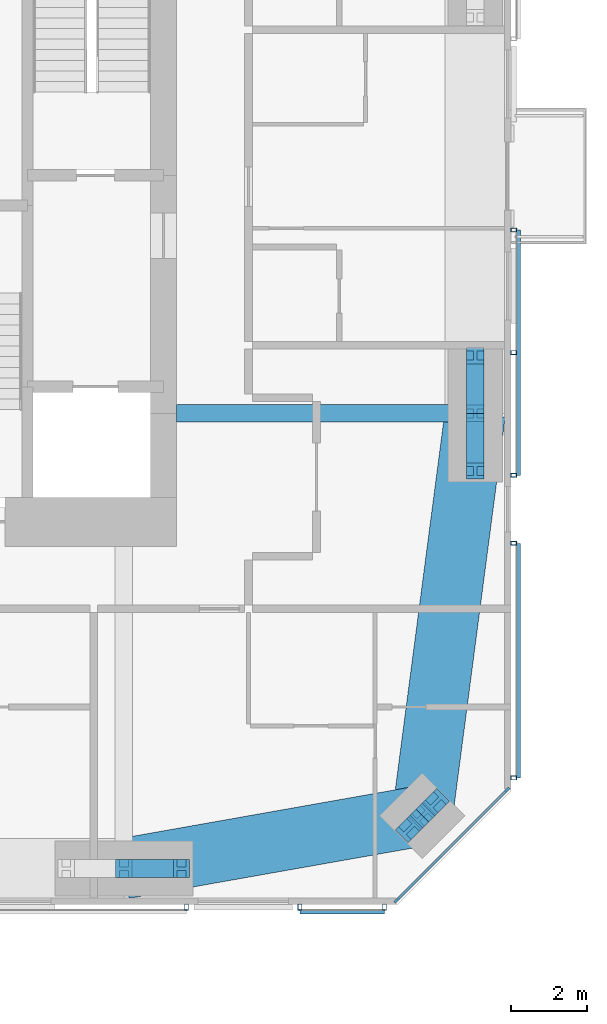
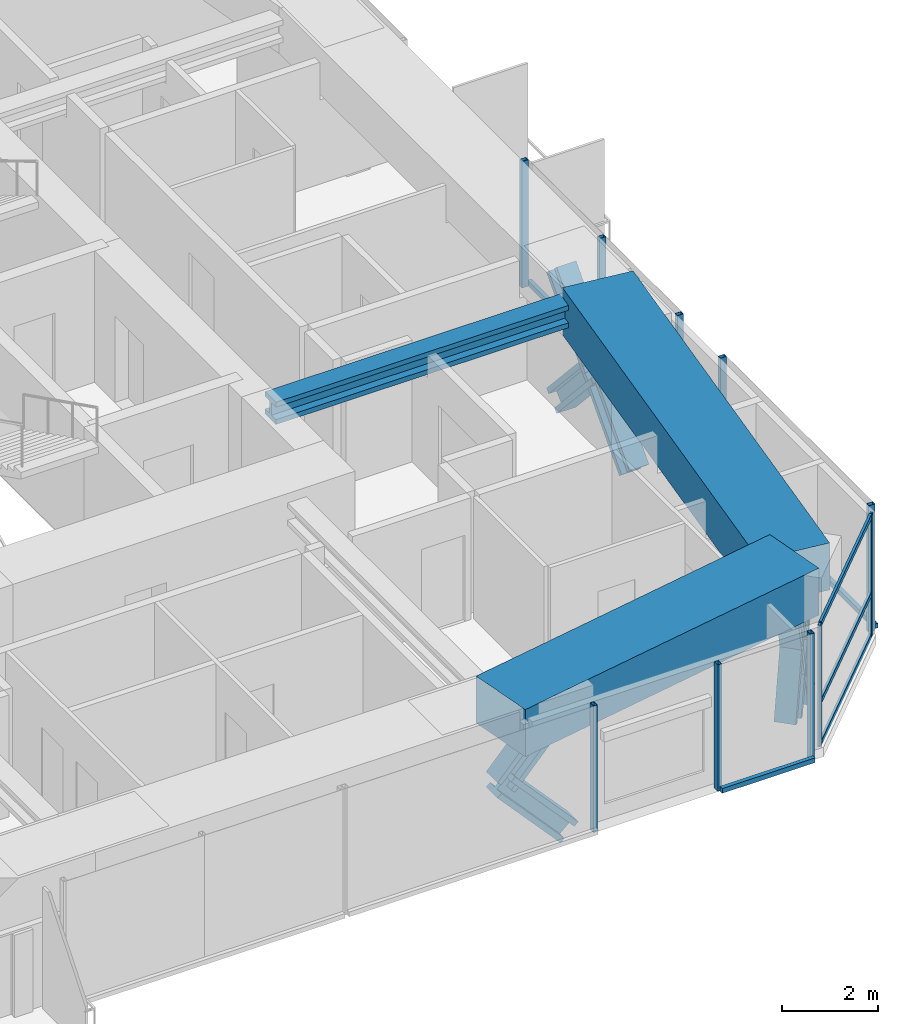
# One storey, part 8 of 23: 26 members, 3 beams, 5 elements without a shape of their own.
"""IFC4 building model written with IfcOpenShell, lengths in metres."""

from ifc_helpers import new_model, si_unit, direction, frame, origin, origin_2d, place, context, subcontext, project, spatial, rectangle, hollow_rectangle, i_section, extrude, material, material_profile, profile_set, type_object, element, aggregate, save


model = new_model("IFC4")

# Units and contexts
model_context = context("Model", 3, precision=1e-05, world=origin(), true_north=direction((0.0, 1.0)))
body_context = subcontext(model_context, "Body", "Model", "MODEL_VIEW")
ifc_project = project(units=[si_unit("LENGTHUNIT", "METRE"), si_unit("AREAUNIT", "SQUARE_METRE"), si_unit("VOLUMEUNIT", "CUBIC_METRE"), si_unit("PLANEANGLEUNIT", "RADIAN"), si_unit("MASSUNIT", "GRAM", prefix="KILO")], contexts=[model_context])

# Site, building, storey
site_placement = place(None, origin())
site = spatial("IfcSite", under=ifc_project, at=site_placement, CompositionType="ELEMENT")
building_placement = place(site_placement, origin())
building = spatial("IfcBuilding", under=site, at=building_placement, Name="Jalousie Tower", CompositionType="ELEMENT")
storey_placement = place(building_placement, frame((0.0, 0.0, 181.14990234375)))
storey = spatial("IfcBuildingStorey", under=building, at=storey_placement, Name="L49", CompositionType="ELEMENT", Elevation=181.14990234375)

# Curtain wall, members
ifc_material_1 = material(Name="Aluminium curtain wall", Category="aluminium")
curtain_wall_type_1 = type_object("IfcCurtainWallType", Name="CORNER WINDOW WALL", PredefinedType="USERDEFINED", material=ifc_material_1)
curtain_wall_1_placement = place(storey_placement, origin())
curtain_wall_1 = element("IfcCurtainWall", 1, at=curtain_wall_1_placement, inside=storey, type_object=curtain_wall_type_1, Name="Corner Window Wall L49 2", ObjectType="CORNER WINDOW WALL", PredefinedType="USERDEFINED")
ifc_material_2 = material(Name="Aluminium mullion", Category="aluminium")
ifc_material_profile_1 = material_profile(ifc_material_2, rectangle(XDim=0.06005859375, YDim=0.14990234375, at=origin_2d()), Name="MULLION 60x150")
ifc_profile_set_1 = profile_set([ifc_material_profile_1], Name="Aluminium mullion")
member_type_1 = type_object("IfcMemberType", Name="CORNER WINDOW WALL MULLION", PredefinedType="MULLION", material=ifc_profile_set_1)
member_1_placement = place(storey_placement, frame((49.969970703125, 0.108642578125, 0.0), z_axis=(0.0, 0.0, 1.0), x_axis=(-0.707106781187, 0.707106781187, 0.0)))
member_1 = element("IfcMember", 2, at=member_1_placement, type_object=member_type_1, Name="CW-C mullion 1", PredefinedType="MULLION", context=body_context, shape_type="SweptSolid", body=[
    extrude(rectangle(XDim=0.06005859375, YDim=0.14990234375, at=origin_2d()), origin(), (0.0, 0.0, 1.0), 3.110107421875),
])
member_2_placement = place(storey_placement, frame((52.891357421875, 3.030029296875, 0.0), z_axis=(0.0, 0.0, 1.0), x_axis=(-0.707106781187, 0.707106781187, 0.0)))
member_2 = element("IfcMember", 3, at=member_2_placement, type_object=member_type_1, Name="CW-C mullion 2", PredefinedType="MULLION", context=body_context, shape_type="SweptSolid", body=[
    extrude(rectangle(XDim=0.06005859375, YDim=0.14990234375, at=origin_2d()), origin(), (0.0, 0.0, 1.0), 3.110107421875),
])
ifc_material_3 = material(Name="Aluminium transom", Category="aluminium")
ifc_material_profile_2 = material_profile(ifc_material_3, rectangle(XDim=0.06005859375, YDim=0.1201171875, at=origin_2d()), Name="TRANSOM 60x120")
ifc_profile_set_2 = profile_set([ifc_material_profile_2], Name="Aluminium transom")
member_type_2 = type_object("IfcMemberType", Name="CORNER WINDOW WALL TRANSOM", PredefinedType="USERDEFINED", material=ifc_profile_set_2)
member_3_placement = place(storey_placement, frame((49.9912109375, 0.1298828125, 0.030029296875), z_axis=(0.707106781187, 0.707106781187, 0.0), x_axis=(-0.707106781187, 0.707106781187, 0.0)))
member_3 = element("IfcMember", 4, at=member_3_placement, type_object=member_type_2, Name="CW-C transom 1.1", ObjectType="TRANSOM", PredefinedType="USERDEFINED", context=body_context, shape_type="SweptSolid", body=[
    extrude(rectangle(XDim=0.06005859375, YDim=0.1201171875, at=origin_2d()), origin(), (0.0, 0.0, 1.0), 4.0712890625),
])
member_4_placement = place(storey_placement, frame((49.9912109375, 0.1298828125, 1.10009765625), z_axis=(0.707106781187, 0.707106781187, 0.0), x_axis=(-0.707106781187, 0.707106781187, 0.0)))
member_4 = element("IfcMember", 5, at=member_4_placement, type_object=member_type_2, Name="CW-C transom 1.2", ObjectType="TRANSOM", PredefinedType="USERDEFINED", context=body_context, shape_type="SweptSolid", body=[
    extrude(rectangle(XDim=0.06005859375, YDim=0.1201171875, at=origin_2d()), origin(), (0.0, 0.0, 1.0), 4.0712890625),
])
member_5_placement = place(storey_placement, frame((49.9912109375, 0.1298828125, 3.080078125), z_axis=(0.707106781187, 0.707106781187, 0.0), x_axis=(-0.707106781187, 0.707106781187, 0.0)))
member_5 = element("IfcMember", 6, at=member_5_placement, type_object=member_type_2, Name="CW-C transom 1.3", ObjectType="TRANSOM", PredefinedType="USERDEFINED", context=body_context, shape_type="SweptSolid", body=[
    extrude(rectangle(XDim=0.06005859375, YDim=0.1201171875, at=origin_2d()), origin(), (0.0, 0.0, 1.0), 4.0712890625),
])
aggregate(curtain_wall_1, [member_1, member_2, member_3, member_4, member_5])

# Beam
ifc_material_4 = material(Name="Steel ASTM A992 Grade 50", Category="steel")
ifc_material_profile_3 = material_profile(ifc_material_4, i_section(OverallWidth=0.45458984375, OverallDepth=0.569091796875, WebThickness=0.077880859375, FlangeThickness=0.124755859375, at=origin_2d()), Name="W14X730")
ifc_profile_set_3 = profile_set([ifc_material_profile_3], Name="Steel ASTM A992 Grade 50")
beam_type_1 = type_object("IfcBeamType", Name="LEAN COLLECTOR W14X730", PredefinedType="BEAM", material=ifc_profile_set_3)
beam_1_placement = place(storey_placement, frame((52.050048828125, 13.0, 2.82568359375), z_axis=(-1.0, 0.0, 0.0), x_axis=(0.0, -1.0, 0.0)))
element("IfcBeam", 7, at=beam_1_placement, inside=storey, type_object=beam_type_1, Name="Lean collector under L50", PredefinedType="BEAM", context=body_context, shape_type="SweptSolid", body=[
    extrude(i_section(OverallWidth=0.45458984375, OverallDepth=0.569091796875, WebThickness=0.077880859375, FlangeThickness=0.124755859375, at=origin_2d()), origin(), (0.0, 0.0, 1.0), 7.900146484375),
])

# Members
ifc_material_5 = material(Name="Steel ASTM A992 Grade 50", Category="steel")
ifc_material_profile_4 = material_profile(ifc_material_5, i_section(OverallWidth=0.472412109375, OverallDepth=0.5791015625, WebThickness=0.094970703125, FlangeThickness=0.1298828125, at=origin_2d()), Name="W14X808")
ifc_profile_set_4 = profile_set([ifc_material_profile_4], Name="Steel ASTM A992 Grade 50")
member_type_3 = type_object("IfcMemberType", Name="PERIMETER BRACE W14X808", PredefinedType="BRACE", material=ifc_profile_set_4)
for number, where, z_axis, x_axis, name in (
    (8, (42.75, 0.949951171875, 1.0751953125), (0.673241284601, 0.0, 0.739422864611), (0.0, 1.0, 0.0), "Perimeter brace 04 L49 part 2"),
    (9, (44.27490234375, 0.949951171875, -0.599853515625), (-0.673187629365, 0.0, 0.739471713908), (0.0, -1.0, 0.0), "Perimeter brace 04 L49 part 3"),
):
    element("IfcMember", number, at=place(storey_placement, frame(where, z_axis=z_axis, x_axis=x_axis)), inside=storey, type_object=member_type_3, Name=name, PredefinedType="BRACE", context=body_context, shape_type="SweptSolid", body=[
        extrude(i_section(OverallWidth=0.472412109375, OverallDepth=0.5791015625, WebThickness=0.094970703125, FlangeThickness=0.1298828125, at=origin_2d()), origin(), (0.0, 0.0, 1.0), 2.26513671875),
    ])
member_6_placement = place(storey_placement, frame((50.2978515625, 1.9951171875, -0.599853515625), z_axis=(0.202372069365, 0.202092742837, 0.958229653493), x_axis=(-0.706618279267, 0.707594945859, 0.0)))
element("IfcMember", 10, at=member_6_placement, inside=storey, type_object=member_type_3, Name="Perimeter brace 05 L49 part 1", PredefinedType="BRACE", context=body_context, shape_type="SweptSolid", body=[
    extrude(i_section(OverallWidth=0.472412109375, OverallDepth=0.5791015625, WebThickness=0.094970703125, FlangeThickness=0.1298828125, at=origin_2d()), origin(), (0.0, 0.0, 1.0), 1.748046875),
])
member_7_placement = place(storey_placement, frame((50.651611328125, 2.348388671875, 1.0751953125), z_axis=(0.202119792263, 0.202399156177, 0.958218227313), x_axis=(-0.707594945859, 0.706618279267, 0.0)))
element("IfcMember", 11, at=member_7_placement, inside=storey, type_object=member_type_3, Name="Perimeter brace 05 L49 part 2", PredefinedType="BRACE", context=body_context, shape_type="SweptSolid", body=[
    extrude(i_section(OverallWidth=0.472412109375, OverallDepth=0.5791015625, WebThickness=0.094970703125, FlangeThickness=0.1298828125, at=origin_2d()), origin(), (0.0, 0.0, 1.0), 1.747802734375),
])
member_8_placement = place(storey_placement, frame((51.0048828125, 2.7021484375, -0.599853515625), z_axis=(-0.202092742837, -0.202372069365, 0.958229653493), x_axis=(0.707594945859, -0.706618279267, 0.0)))
element("IfcMember", 12, at=member_8_placement, inside=storey, type_object=member_type_3, Name="Perimeter brace 05 L49 part 3", PredefinedType="BRACE", context=body_context, shape_type="SweptSolid", body=[
    extrude(i_section(OverallWidth=0.472412109375, OverallDepth=0.5791015625, WebThickness=0.094970703125, FlangeThickness=0.1298828125, at=origin_2d()), origin(), (0.0, 0.0, 1.0), 1.748046875),
])
member_9_placement = place(storey_placement, frame((50.651611328125, 2.348388671875, 1.0751953125), z_axis=(-0.202399156177, -0.202119792263, 0.958218227313), x_axis=(0.706618279267, -0.707594945859, 0.0)))
element("IfcMember", 13, at=member_9_placement, inside=storey, type_object=member_type_3, Name="Perimeter brace 05 L49 part 4", PredefinedType="BRACE", context=body_context, shape_type="SweptSolid", body=[
    extrude(i_section(OverallWidth=0.472412109375, OverallDepth=0.5791015625, WebThickness=0.094970703125, FlangeThickness=0.1298828125, at=origin_2d()), origin(), (0.0, 0.0, 1.0), 1.747802734375),
])
for number, where, z_axis, x_axis, name in (
    (14, (52.050048828125, 11.47509765625, -0.599853515625), (0.0, 0.673187629365, 0.739471713908), (-1.0, 0.0, 0.0), "Perimeter brace 06 L49 part 1"),
    (15, (52.050048828125, 13.0, 1.0751953125), (0.0, 0.673241284601, 0.739422864611), (-1.0, 0.0, 0.0), "Perimeter brace 06 L49 part 2"),
    (16, (52.050048828125, 14.52490234375, -0.599853515625), (0.0, -0.673187629365, 0.739471713908), (1.0, 0.0, 0.0), "Perimeter brace 06 L49 part 3"),
    (17, (52.050048828125, 13.0, 1.0751953125), (0.0, -0.673241284601, 0.739422864611), (1.0, 0.0, 0.0), "Perimeter brace 06 L49 part 4"),
):
    element("IfcMember", number, at=place(storey_placement, frame(where, z_axis=z_axis, x_axis=x_axis)), inside=storey, type_object=member_type_3, Name=name, PredefinedType="BRACE", context=body_context, shape_type="SweptSolid", body=[
        extrude(i_section(OverallWidth=0.472412109375, OverallDepth=0.5791015625, WebThickness=0.094970703125, FlangeThickness=0.1298828125, at=origin_2d()), origin(), (0.0, 0.0, 1.0), 2.26513671875),
    ])

# Beams
ifc_material_6 = material(Name="Concrete f'c 40 MPa", Category="concrete")
ifc_material_profile_5 = material_profile(ifc_material_6, rectangle(XDim=1.60009765625, YDim=1.199951171875, at=origin_2d()), Name="RC 1600x1200")
ifc_profile_set_5 = profile_set([ifc_material_profile_5], Name="Concrete f'c 40 MPa")
beam_type_2 = type_object("IfcBeamType", Name="RC BEAM 1600x1200", PredefinedType="BEAM", material=ifc_profile_set_5)
beam_2_placement = place(storey_placement, frame((42.75, 0.949951171875, 2.75), z_axis=(0.984697370688, 0.174273027632, 0.0), x_axis=(-0.174273027632, 0.984697370688, 0.0)))
element("IfcBeam", 18, at=beam_2_placement, inside=storey, type_object=beam_type_2, Name="Edge band beam 04-05 under L50", PredefinedType="BEAM", context=body_context, shape_type="SweptSolid", body=[
    extrude(rectangle(XDim=1.60009765625, YDim=1.199951171875, at=origin_2d()), origin(), (0.0, 0.0, 1.0), 8.0244140625),
])
beam_3_placement = place(storey_placement, frame((50.651611328125, 2.348388671875, 2.75), z_axis=(0.130171745558, 0.991491460709, 0.0), x_axis=(-0.991491460709, 0.130171745558, 0.0)))
element("IfcBeam", 19, at=beam_3_placement, inside=storey, type_object=beam_type_2, Name="Edge band beam 05-06 under L50", PredefinedType="BEAM", context=body_context, shape_type="SweptSolid", body=[
    extrude(rectangle(XDim=1.60009765625, YDim=1.199951171875, at=origin_2d()), origin(), (0.0, 0.0, 1.0), 10.742919921875),
])

# Curtain wall, member
ifc_material_7 = material(Name="Perforated aluminium sheet", Category="aluminium")
curtain_wall_type_2 = type_object("IfcCurtainWallType", Name="SOLAR SCREEN SS-1", PredefinedType="USERDEFINED", material=ifc_material_7)
curtain_wall_2_placement = place(storey_placement, origin())
curtain_wall_2 = element("IfcCurtainWall", 20, at=curtain_wall_2_placement, inside=storey, type_object=curtain_wall_type_2, Name="Solar screen L49", ObjectType="SOLAR SCREEN SS-1", PredefinedType="USERDEFINED")
ifc_material_8 = material(Name="Steel ASTM A500 Grade C", Category="steel")
ifc_material_profile_6 = material_profile(ifc_material_8, hollow_rectangle(XDim=0.1015625, YDim=0.15234375, WallThickness=0.00634765625, at=origin_2d()), Name="HSS6X4X1/4")
ifc_profile_set_6 = profile_set([ifc_material_profile_6], Name="Steel ASTM A500 Grade C")
member_type_4 = type_object("IfcMemberType", Name="SOLAR SCREEN SS-1 MULLION", PredefinedType="MULLION", material=ifc_profile_set_6)
member_10_placement = place(storey_placement, frame((44.409912109375, -0.0712890625, -0.119873046875), z_axis=(0.0, 0.0, 1.0), x_axis=(1.0, 0.0, 0.0)))
member_10 = element("IfcMember", 21, at=member_10_placement, type_object=member_type_4, Name="SS1 post 2", PredefinedType="MULLION", context=body_context, shape_type="SweptSolid", body=[
    extrude(hollow_rectangle(XDim=0.1015625, YDim=0.15234375, WallThickness=0.00634765625, at=origin_2d()), origin(), (0.0, 0.0, 1.0), 3.22998046875),
])
aggregate(curtain_wall_2, [member_10])

# Curtain wall, members
curtain_wall_3_placement = place(storey_placement, origin())
curtain_wall_3 = element("IfcCurtainWall", 22, at=curtain_wall_3_placement, inside=storey, type_object=curtain_wall_type_2, Name="Solar screen L49", ObjectType="SOLAR SCREEN SS-1", PredefinedType="USERDEFINED")
member_11_placement = place(storey_placement, frame((47.409912109375, -0.0712890625, -0.119873046875), z_axis=(0.0, 0.0, 1.0), x_axis=(1.0, 0.0, 0.0)))
member_11 = element("IfcMember", 23, at=member_11_placement, type_object=member_type_4, Name="SS1 post 1", PredefinedType="MULLION", context=body_context, shape_type="SweptSolid", body=[
    extrude(hollow_rectangle(XDim=0.1015625, YDim=0.15234375, WallThickness=0.00634765625, at=origin_2d()), origin(), (0.0, 0.0, 1.0), 3.22998046875),
])
member_12_placement = place(storey_placement, frame((49.648681640625, -0.0712890625, -0.119873046875), z_axis=(0.0, 0.0, 1.0), x_axis=(1.0, 0.0, 0.0)))
member_12 = element("IfcMember", 24, at=member_12_placement, type_object=member_type_4, Name="SS1 post 2", PredefinedType="MULLION", context=body_context, shape_type="SweptSolid", body=[
    extrude(hollow_rectangle(XDim=0.1015625, YDim=0.15234375, WallThickness=0.00634765625, at=origin_2d()), origin(), (0.0, 0.0, 1.0), 3.22998046875),
])

curtain_wall_4_placement = place(storey_placement, origin())
curtain_wall_4 = element("IfcCurtainWall", 25, at=curtain_wall_4_placement, inside=storey, type_object=curtain_wall_type_2, Name="Solar screen L49", ObjectType="SOLAR SCREEN SS-1", PredefinedType="USERDEFINED")
member_13_placement = place(storey_placement, frame((53.0712890625, 3.351318359375, -0.119873046875), z_axis=(0.0, 0.0, 1.0), x_axis=(0.0, 1.0, 0.0)))
member_13 = element("IfcMember", 26, at=member_13_placement, type_object=member_type_4, Name="SS1 post 1", PredefinedType="MULLION", context=body_context, shape_type="SweptSolid", body=[
    extrude(hollow_rectangle(XDim=0.1015625, YDim=0.15234375, WallThickness=0.00634765625, at=origin_2d()), origin(), (0.0, 0.0, 1.0), 3.22998046875),
])
member_14_placement = place(storey_placement, frame((53.0712890625, 9.559326171875, -0.119873046875), z_axis=(0.0, 0.0, 1.0), x_axis=(0.0, 1.0, 0.0)))
member_14 = element("IfcMember", 27, at=member_14_placement, type_object=member_type_4, Name="SS1 post 2", PredefinedType="MULLION", context=body_context, shape_type="SweptSolid", body=[
    extrude(hollow_rectangle(XDim=0.1015625, YDim=0.15234375, WallThickness=0.00634765625, at=origin_2d()), origin(), (0.0, 0.0, 1.0), 3.22998046875),
])

curtain_wall_5_placement = place(storey_placement, origin())
curtain_wall_5 = element("IfcCurtainWall", 28, at=curtain_wall_5_placement, inside=storey, type_object=curtain_wall_type_2, Name="Solar screen L49", ObjectType="SOLAR SCREEN SS-1", PredefinedType="USERDEFINED")
member_15_placement = place(storey_placement, frame((53.0712890625, 11.359375, -0.119873046875), z_axis=(0.0, 0.0, 1.0), x_axis=(0.0, 1.0, 0.0)))
member_15 = element("IfcMember", 29, at=member_15_placement, type_object=member_type_4, Name="SS1 post 1", PredefinedType="MULLION", context=body_context, shape_type="SweptSolid", body=[
    extrude(hollow_rectangle(XDim=0.1015625, YDim=0.15234375, WallThickness=0.00634765625, at=origin_2d()), origin(), (0.0, 0.0, 1.0), 3.22998046875),
])
member_16_placement = place(storey_placement, frame((53.0712890625, 14.604736328125, -0.119873046875), z_axis=(0.0, 0.0, 1.0), x_axis=(0.0, 1.0, 0.0)))
member_16 = element("IfcMember", 30, at=member_16_placement, type_object=member_type_4, Name="SS1 post 2", PredefinedType="MULLION", context=body_context, shape_type="SweptSolid", body=[
    extrude(hollow_rectangle(XDim=0.1015625, YDim=0.15234375, WallThickness=0.00634765625, at=origin_2d()), origin(), (0.0, 0.0, 1.0), 3.22998046875),
])
member_17_placement = place(storey_placement, frame((53.0712890625, 17.85009765625, -0.119873046875), z_axis=(0.0, 0.0, 1.0), x_axis=(0.0, 1.0, 0.0)))
member_17 = element("IfcMember", 31, at=member_17_placement, type_object=member_type_4, Name="SS1 post 3", PredefinedType="MULLION", context=body_context, shape_type="SweptSolid", body=[
    extrude(hollow_rectangle(XDim=0.1015625, YDim=0.15234375, WallThickness=0.00634765625, at=origin_2d()), origin(), (0.0, 0.0, 1.0), 3.22998046875),
])

# Member
ifc_material_9 = material(Name="Extruded aluminium screen rail", Category="aluminium")
ifc_material_profile_7 = material_profile(ifc_material_9, rectangle(XDim=0.1015625, YDim=0.1201171875, at=origin_2d()), Name="RAIL 102x120")
ifc_profile_set_7 = profile_set([ifc_material_profile_7], Name="Extruded aluminium screen rail")
member_type_5 = type_object("IfcMemberType", Name="SOLAR SCREEN SS-1 TRANSOM", PredefinedType="USERDEFINED", material=ifc_profile_set_7)
member_18_placement = place(storey_placement, frame((47.409912109375, -0.1982421875, -0.059814453125), z_axis=(1.0, 0.0, 0.0), x_axis=(0.0, 1.0, 0.0)))
member_18 = element("IfcMember", 32, at=member_18_placement, type_object=member_type_5, Name="SS1 rail", ObjectType="TRANSOM", PredefinedType="USERDEFINED", context=body_context, shape_type="SweptSolid", body=[
    extrude(rectangle(XDim=0.1015625, YDim=0.1201171875, at=origin_2d()), origin(), (0.0, 0.0, 1.0), 2.23876953125),
])

aggregate(curtain_wall_3, [member_11, member_12, member_18])

member_19_placement = place(storey_placement, frame((53.1982421875, 3.351318359375, -0.059814453125), z_axis=(0.0, 1.0, 0.0), x_axis=(-1.0, 0.0, 0.0)))
member_19 = element("IfcMember", 33, at=member_19_placement, type_object=member_type_5, Name="SS1 rail", ObjectType="TRANSOM", PredefinedType="USERDEFINED", context=body_context, shape_type="SweptSolid", body=[
    extrude(rectangle(XDim=0.1015625, YDim=0.1201171875, at=origin_2d()), origin(), (0.0, 0.0, 1.0), 6.2080078125),
])

aggregate(curtain_wall_4, [member_13, member_14, member_19])

member_20_placement = place(storey_placement, frame((53.1982421875, 11.359375, -0.059814453125), z_axis=(0.0, 1.0, 0.0), x_axis=(-1.0, 0.0, 0.0)))
member_20 = element("IfcMember", 34, at=member_20_placement, type_object=member_type_5, Name="SS1 rail", ObjectType="TRANSOM", PredefinedType="USERDEFINED", context=body_context, shape_type="SweptSolid", body=[
    extrude(rectangle(XDim=0.1015625, YDim=0.1201171875, at=origin_2d()), origin(), (0.0, 0.0, 1.0), 6.49072265625),
])

aggregate(curtain_wall_5, [member_15, member_16, member_17, member_20])

save(model, "model.ifc")
